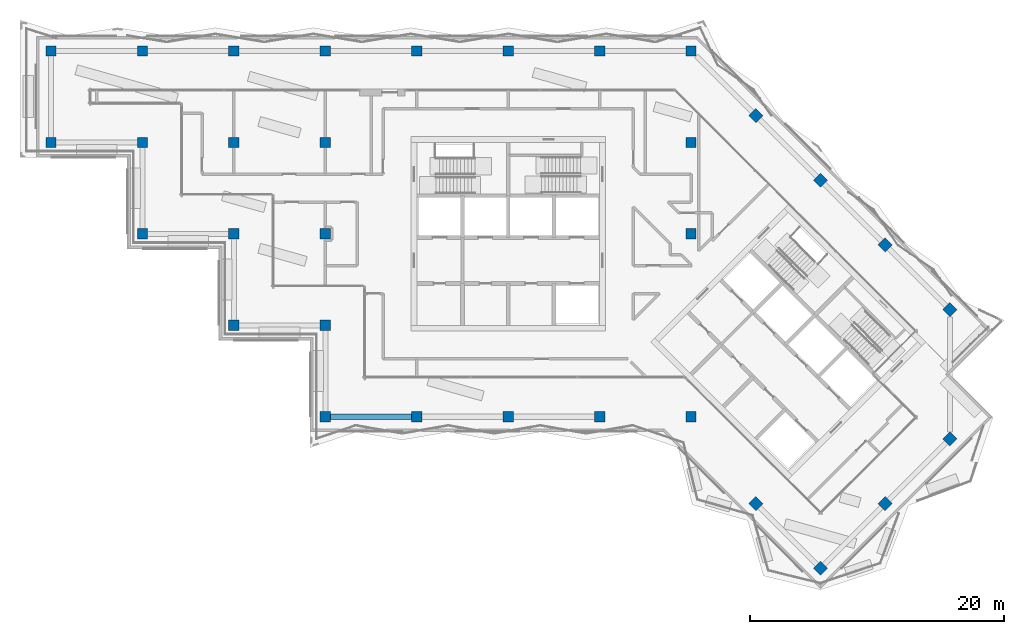
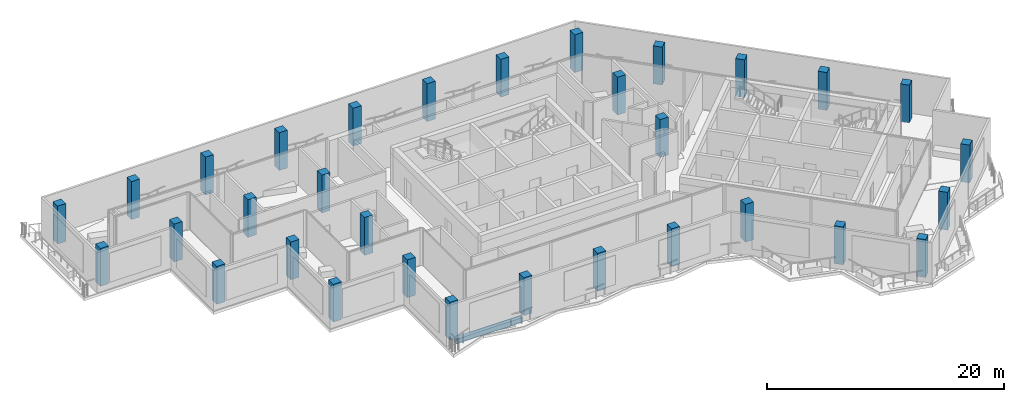
# One storey, part 1 of 19: 32 columns, 1 beam.
"""IFC4 building model written with IfcOpenShell, lengths in metres."""

from ifc_helpers import new_model, si_unit, direction, frame, origin, origin_2d, place, context, subcontext, project, spatial, rectangle, extrude, material, material_profile, profile_set, type_object, element, save


model = new_model("IFC4")

# Units and contexts
model_context = context("Model", 3, precision=1e-05, world=origin(), true_north=direction((0.0, 1.0)))
body_context = subcontext(model_context, "Body", "Model", "MODEL_VIEW")
ifc_project = project(units=[si_unit("LENGTHUNIT", "METRE"), si_unit("AREAUNIT", "SQUARE_METRE"), si_unit("VOLUMEUNIT", "CUBIC_METRE"), si_unit("PLANEANGLEUNIT", "RADIAN"), si_unit("MASSUNIT", "GRAM", prefix="KILO")], contexts=[model_context])

# Site, building, storey
site_placement = place(None, origin())
site = spatial("IfcSite", under=ifc_project, at=site_placement, CompositionType="ELEMENT")
building_placement = place(site_placement, origin())
building = spatial("IfcBuilding", under=site, at=building_placement, Name="Windrow Commons", CompositionType="ELEMENT")
storey_placement = place(building_placement, frame((0.0, 0.0, 230.4)))
storey = spatial("IfcBuildingStorey", under=building, at=storey_placement, Name="L63", CompositionType="ELEMENT", Elevation=230.4)

# Columns
ifc_material_1 = material(Name="Concrete C50/60", Category="concrete")
ifc_material_profile_1 = material_profile(ifc_material_1, rectangle(XDim=0.8, YDim=0.8, at=origin_2d()))
ifc_profile_set_1 = profile_set([ifc_material_profile_1], Name="Concrete C50/60")
column_type = type_object("IfcColumnType", Name="RC COLUMN 800x800 C50/60", PredefinedType="COLUMN", material=ifc_profile_set_1)
for number, where, z_axis, x_axis, name in (
    (1, (28.8, 64.8, 0.0), (0.0, 0.0, 1.0), (1.0, 0.0, 0.0), "C-SG4-05I"),
    (2, (28.8, 72.0, 0.0), (0.0, 0.0, 1.0), (1.0, 0.0, 0.0), "C-SG4-05J"),
    (3, (36.0, 57.6, 0.0), (0.0, 0.0, 1.0), (1.0, 0.0, 0.0), "C-SG4-06H"),
    (4, (36.0, 64.8, 0.0), (0.0, 0.0, 1.0), (1.0, 0.0, 0.0), "C-SG4-06I"),
    (5, (36.0, 72.0, 0.0), (0.0, 0.0, 1.0), (1.0, 0.0, 0.0), "C-SG4-06J"),
    (6, (43.2, 50.4, 0.0), (0.0, 0.0, 1.0), (1.0, 0.0, 0.0), "C-SG4-07G"),
    (7, (43.2, 57.6, 0.0), (0.0, 0.0, 1.0), (1.0, 0.0, 0.0), "C-SG4-07H"),
    (8, (43.2, 64.8, 0.0), (0.0, 0.0, 1.0), (1.0, 0.0, 0.0), "C-SG4-07I"),
    (9, (43.2, 72.0, 0.0), (0.0, 0.0, 1.0), (1.0, 0.0, 0.0), "C-SG4-07J"),
    (10, (50.4, 43.2, 0.0), (0.0, 0.0, 1.0), (1.0, 0.0, 0.0), "C-SG4-08F"),
    (11, (50.4, 50.4, 0.0), (0.0, 0.0, 1.0), (1.0, 0.0, 0.0), "C-SG4-08G"),
    (12, (50.4, 57.6, 0.0), (0.0, 0.0, 1.0), (1.0, 0.0, 0.0), "C-SG4-08H"),
    (13, (50.4, 64.8, 0.0), (0.0, 0.0, 1.0), (1.0, 0.0, 0.0), "C-SG4-08I"),
    (14, (50.4, 72.0, 0.0), (0.0, 0.0, 1.0), (1.0, 0.0, 0.0), "C-SG4-08J"),
    (15, (57.6, 43.2, 0.0), (0.0, 0.0, 1.0), (1.0, 0.0, 0.0), "C-SG4-09F"),
    (16, (57.6, 72.0, 0.0), (0.0, 0.0, 1.0), (1.0, 0.0, 0.0), "C-SG4-09J"),
    (17, (64.8, 43.2, 0.0), (0.0, 0.0, 1.0), (1.0, 0.0, 0.0), "C-SG4-10F"),
    (18, (64.8, 72.0, 0.0), (0.0, 0.0, 1.0), (1.0, 0.0, 0.0), "C-SG4-10J"),
    (19, (72.0, 43.2, 0.0), (0.0, 0.0, 1.0), (1.0, 0.0, 0.0), "C-SG4-11F"),
    (20, (72.0, 72.0, 0.0), (0.0, 0.0, 1.0), (1.0, 0.0, 0.0), "C-SG4-11J"),
    (21, (79.2, 43.2, 0.0), (0.0, 0.0, 1.0), (1.0, 0.0, 0.0), "C-SG4-12F"),
    (22, (79.2, 57.6, 0.0), (0.0, 0.0, 1.0), (1.0, 0.0, 0.0), "C-SG4-12H"),
    (23, (79.2, 64.8, 0.0), (0.0, 0.0, 1.0), (1.0, 0.0, 0.0), "C-SG4-12I"),
    (24, (79.2, 72.0, 0.0), (0.0, 0.0, 1.0), (1.0, 0.0, 0.0), "C-SG4-12J"),
    (25, (84.2912, 66.9088, 0.0), (0.0, 0.0, 1.0), (0.7071067812, -0.7071067812, 0.0), "C-SG4-P2Q"),
    (26, (89.3823, 61.8177, 0.0), (0.0, 0.0, 1.0), (0.7071067812, -0.7071067812, 0.0), "C-SG4-P3Q"),
    (27, (94.4735, 56.7265, 0.0), (0.0, 0.0, 1.0), (0.7071067812, -0.7071067812, 0.0), "C-SG4-P4Q"),
    (28, (99.5647, 51.6353, 0.0), (0.0, 0.0, 1.0), (0.7071067812, -0.7071067812, 0.0), "C-SG4-P5Q"),
    (29, (84.2912, 36.3618, 0.0), (0.0, 0.0, 1.0), (0.7071067812, -0.7071067812, 0.0), "C-SG4-P5T"),
    (30, (99.5647, 41.453, 0.0), (0.0, 0.0, 1.0), (0.7071067812, -0.7071067812, 0.0), "C-SG4-P6R"),
    (31, (94.4735, 36.3618, 0.0), (0.0, 0.0, 1.0), (0.7071067812, -0.7071067812, 0.0), "C-SG4-P6S"),
    (32, (89.3823, 31.2706, 0.0), (0.0, 0.0, 1.0), (0.7071067812, -0.7071067812, 0.0), "C-SG4-P6T"),
):
    element("IfcColumn", number, at=place(storey_placement, frame(where, z_axis=z_axis, x_axis=x_axis)), inside=storey, type_object=column_type, Name=name, PredefinedType="COLUMN", context=body_context, shape_type="SweptSolid", body=[
        extrude(rectangle(XDim=0.8, YDim=0.8, at=origin_2d()), origin(), (0.0, 0.0, 1.0), 3.9),
    ])

# Beam
ifc_material_2 = material(Name="Concrete C40/50", Category="concrete")
ifc_material_profile_2 = material_profile(ifc_material_2, rectangle(XDim=0.4, YDim=0.5, at=origin_2d()))
ifc_profile_set_2 = profile_set([ifc_material_profile_2], Name="Concrete C40/50")
beam_type = type_object("IfcBeamType", Name="RC EDGE BEAM 400x500 C40/50", PredefinedType="SPANDREL", material=ifc_profile_set_2)
beam_placement = place(storey_placement, frame((57.2, 43.2, -0.55), z_axis=(-1.0, 0.0, 0.0), x_axis=(0.0, -1.0, 0.0)))
element("IfcBeam", 33, at=beam_placement, inside=storey, type_object=beam_type, Name="Edge beam L63 001", PredefinedType="SPANDREL", context=body_context, shape_type="SweptSolid", body=[
    extrude(rectangle(XDim=0.4, YDim=0.5, at=origin_2d()), origin(), (0.0, 0.0, 1.0), 6.4),
])

save(model, "model.ifc")
